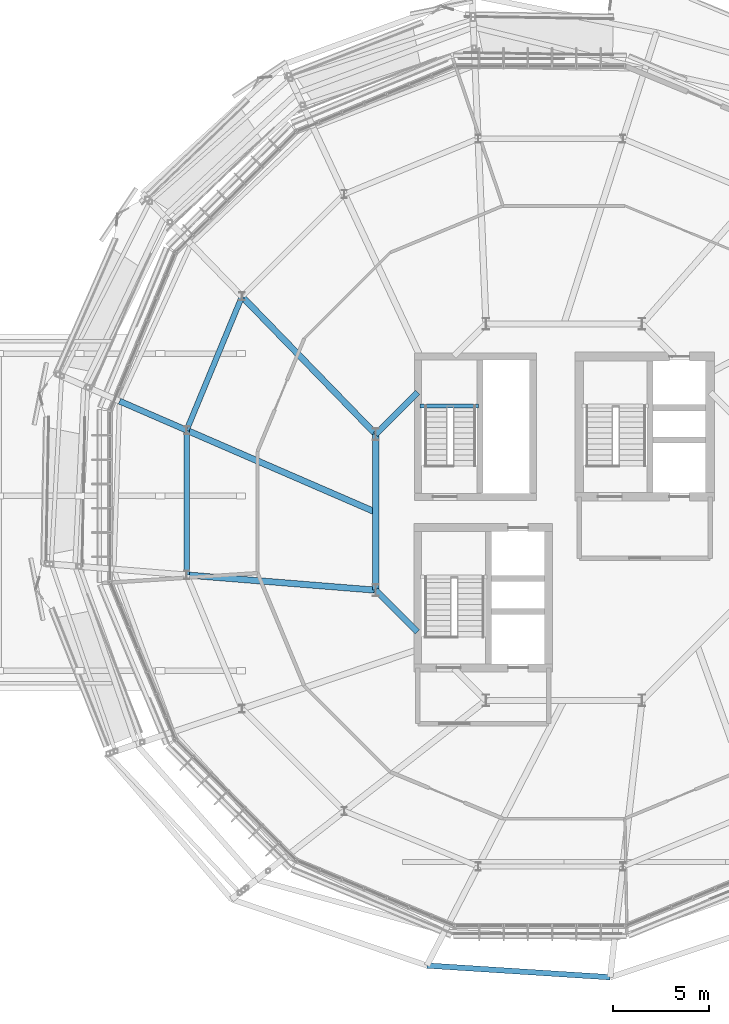
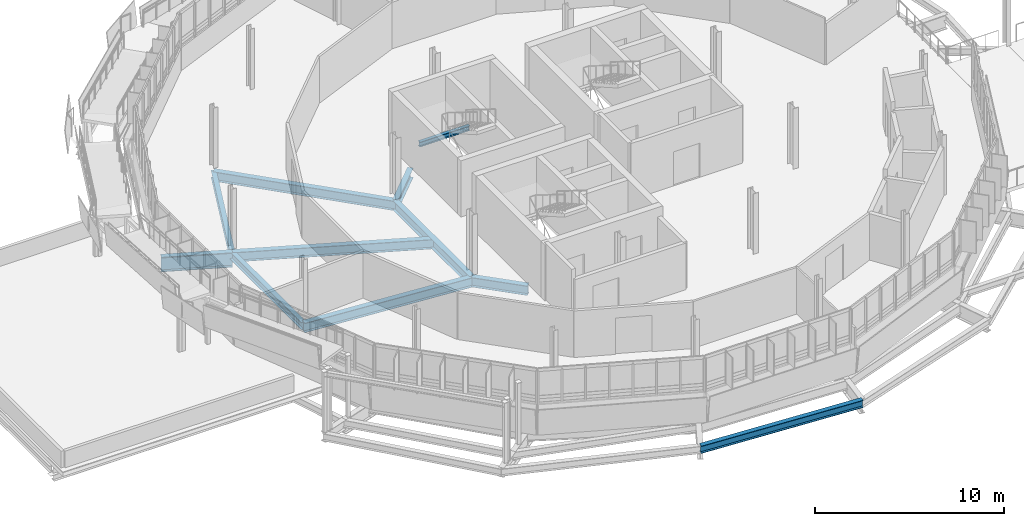
# One storey, part 15 of 61: 11 beams.
"""IFC4 building model written with IfcOpenShell, lengths in metres."""

import ifcopenshell
import ifcopenshell.guid

model = None  # the IFC model being written
_history = None  # IfcOwnerHistory: only IFC2X3 demands one
_inside = {}  # id of a spatial element -> (the spatial element, [elements in it])
_under = {}  # id of a project, library or spatial element -> (it, [spatial elements below it])
_declared = {}  # id of a project -> (the project, [libraries it declares])
_typed = {}  # id of a type object -> (the type object, [elements of that type])
_made_of = {}  # id of a material, layer set ... -> (it, [elements and type objects made of it])


def new_model(schema):
    """Start an empty IFC model of exactly this schema.

    Asked for "IFC4X3", IfcOpenShell would pick the latest addendum, in which some entities
    have other attributes; the version numbers below select the first issue.
    IFC2X3 requires an IfcOwnerHistory on every rooted entity: one is made here for all.
    """
    global model, _history
    if schema == "IFC4X3":
        model = ifcopenshell.file(schema_version=(4, 3, 0, 0))
    else:
        model = ifcopenshell.file(schema=schema)
    _inside.clear()
    _under.clear()
    _declared.clear()
    _typed.clear()
    _made_of.clear()
    _history = None
    if model.schema == "IFC2X3":
        org = make("IfcOrganization", Name="unknown")
        user = make(
            "IfcPersonAndOrganization",
            ThePerson=make("IfcPerson", FamilyName="unknown"),
            TheOrganization=org,
        )
        app = make(
            "IfcApplication",
            ApplicationDeveloper=org,
            Version="unknown",
            ApplicationFullName="unknown",
            ApplicationIdentifier="unknown",
        )
        _history = make(
            "IfcOwnerHistory",
            OwningUser=user,
            OwningApplication=app,
            ChangeAction="ADDED",
            CreationDate=0,
        )
    return model


def make(cls, **values):
    """One entity of the class cls with the attributes given. An attribute that is None is left unset."""
    return model.create_entity(
        cls, **{name: value for name, value in values.items() if value is not None}
    )


def rooted(cls, **values):
    """An entity with a GlobalId (a new one), such as an element, a storey or a relation."""
    return make(cls, GlobalId=ifcopenshell.guid.new(), OwnerHistory=_history, **values)


def si_unit(unit_type, name, prefix=None):
    """IfcSIUnit, for example si_unit("LENGTHUNIT", "METRE", prefix="MILLI")."""
    return make("IfcSIUnit", UnitType=unit_type, Prefix=prefix, Name=name)


def derived_unit(unit_type, elements):
    """IfcDerivedUnit: a product of units, each with its exponent."""
    return make(
        "IfcDerivedUnit",
        Elements=[
            make("IfcDerivedUnitElement", Unit=unit, Exponent=power)
            for unit, power in elements
        ],
        UnitType=unit_type,
    )


def assignment(units):
    """IfcUnitAssignment: the units of a project."""
    return None if units is None else make("IfcUnitAssignment", Units=units)


def point(xyz):
    """IfcCartesianPoint."""
    return None if xyz is None else make("IfcCartesianPoint", Coordinates=xyz)


def direction(xyz):
    """IfcDirection."""
    return None if xyz is None else make("IfcDirection", DirectionRatios=xyz)


def frame(location, z_axis=None, x_axis=None):
    """IfcAxis2Placement3D, a coordinate frame: its origin and axes. An axis left out is left unset."""
    return make(
        "IfcAxis2Placement3D",
        Location=point(location),
        Axis=direction(z_axis),
        RefDirection=direction(x_axis),
    )


def frame_2d(location, x_axis=None):
    """IfcAxis2Placement2D, a coordinate frame in the plane: its origin and x axis."""
    return make(
        "IfcAxis2Placement2D", Location=point(location), RefDirection=direction(x_axis)
    )


def origin():
    """The frame at (0, 0, 0) with its axes left unset."""
    return frame((0.0, 0.0, 0.0))


def origin_2d():
    """The frame at (0, 0) in the plane with its x axis left unset."""
    return frame_2d((0.0, 0.0))


def place(relative_to, where):
    """IfcLocalPlacement: puts the frame where relative to a parent placement (None: the world)."""
    return make(
        "IfcLocalPlacement", PlacementRelTo=relative_to, RelativePlacement=where
    )


def context(
    kind, dimensions, precision=None, world=None, true_north=None, identifier=None
):
    """IfcGeometricRepresentationContext, for example the 3D "Model" context."""
    return make(
        "IfcGeometricRepresentationContext",
        ContextIdentifier=identifier,
        ContextType=kind,
        CoordinateSpaceDimension=dimensions,
        Precision=precision,
        WorldCoordinateSystem=world,
        TrueNorth=true_north,
    )


def subcontext(parent, identifier, kind, view, scale=None):
    """IfcGeometricRepresentationSubContext, for example "Body" below "Model"."""
    return make(
        "IfcGeometricRepresentationSubContext",
        ContextIdentifier=identifier,
        ContextType=kind,
        ParentContext=parent,
        TargetScale=scale,
        TargetView=view,
    )


def project(units=None, contexts=None):
    """IfcProject with its units and contexts."""
    return rooted(
        "IfcProject",
        Name="project",
        RepresentationContexts=contexts,
        UnitsInContext=assignment(units),
    )


def spatial(cls, under=None, at=None, **own):
    """A site, building, storey or space (cls), placed at a placement, below another one or the project."""
    s = rooted(cls, ObjectPlacement=at, **own)
    if under is not None:
        _under.setdefault(under.id(), (under, []))[1].append(s)
    return s


def profile(cls, at=None, kind="AREA", **sizes):
    """A parametric profile (cls). Its sizes go by their IFC names, for example OverallWidth=200.0."""
    return make(cls, ProfileType=kind, Position=at, **sizes)


def i_section(**sizes):
    """IfcIShapeProfileDef."""
    return profile("IfcIShapeProfileDef", **sizes)


def extrude(swept, where, along, depth):
    """IfcExtrudedAreaSolid: the profile swept, set in the frame where, extruded along a direction by depth."""
    return make(
        "IfcExtrudedAreaSolid",
        SweptArea=swept,
        Position=where,
        ExtrudedDirection=direction(along),
        Depth=depth,
    )


def shape(context_of_items, identifier, shape_type, items):
    """IfcShapeRepresentation: the items that make up one representation, for example the "Body"."""
    return make(
        "IfcShapeRepresentation",
        ContextOfItems=context_of_items,
        RepresentationIdentifier=identifier,
        RepresentationType=shape_type,
        Items=items,
    )


def material(Name=None, Category=None):
    """IfcMaterial."""
    return make("IfcMaterial", Name=Name, Category=Category)


def material_profile(
    of_material, cross_section, Name=None, Category=None, Priority=None
):
    """IfcMaterialProfile: a cross section and its material."""
    return make(
        "IfcMaterialProfile",
        Name=Name,
        Material=of_material,
        Profile=cross_section,
        Priority=Priority,
        Category=Category,
    )


def profile_set(profiles, Name=None, composite=None):
    """IfcMaterialProfileSet."""
    return make(
        "IfcMaterialProfileSet",
        Name=Name,
        MaterialProfiles=profiles,
        CompositeProfile=composite,
    )


def made_of(thing, what):
    """Note that an element or type object is made of a material, layer set ...; save() writes the relation."""
    if what is not None:
        _made_of.setdefault(what.id(), (what, []))[1].append(thing)
    return thing


def type_object(cls, material=None, **own):
    """A type object (cls), such as IfcWallType, which elements share."""
    return made_of(rooted(cls, **own), material)


def element(
    cls,
    number,
    at=None,
    inside=None,
    cuts=None,
    type_object=None,
    material=None,
    context=None,
    identifier="Body",
    shape_type=None,
    held_by="IfcProductDefinitionShape",
    body=None,
    shapes=None,
    **own,
):
    """One element of the class cls, such as IfcWall. Its Tag is "e" and its number.

    at: its placement. inside: the storey or other place that contains it. cuts: it is an
    opening in that element (IfcRelVoidsElement). A single representation is given by context,
    identifier, shape_type and body (its items); several are given by shapes. held_by: the class
    of the entity that holds the representations. save() writes the other relations.
    """
    e = rooted(cls, Tag="e%d" % number, ObjectPlacement=at, **own)
    if body is not None:
        shapes = [shape(context, identifier, shape_type, body)]
    if shapes is not None:
        e.Representation = make(held_by, Representations=shapes)
    if inside is not None:
        _inside.setdefault(inside.id(), (inside, []))[1].append(e)
    if cuts is not None:
        rooted(
            "IfcRelVoidsElement", RelatingBuildingElement=cuts, RelatedOpeningElement=e
        )
    if type_object is not None:
        _typed.setdefault(type_object.id(), (type_object, []))[1].append(e)
    return made_of(e, material)


def aggregate(whole, parts):
    """IfcRelAggregates: a whole, such as a stair, and the parts it consists of."""
    return rooted("IfcRelAggregates", RelatingObject=whole, RelatedObjects=parts)


def save(model, path):
    """Write the relations noted so far, then the file.

    IfcRelAggregates (storeys below a building ...), IfcRelContainedInSpatialStructure (elements
    in a storey), IfcRelDefinesByType, IfcRelAssociatesMaterial and IfcRelDeclares: one each for
    every whole, place, type object, material and project.
    """
    for whole, parts in _under.values():
        aggregate(whole, parts)
    for where, things in _inside.values():
        rooted(
            "IfcRelContainedInSpatialStructure",
            RelatedElements=things,
            RelatingStructure=where,
        )
    for kind, things in _typed.values():
        rooted("IfcRelDefinesByType", RelatedObjects=things, RelatingType=kind)
    for what, things in _made_of.values():
        rooted("IfcRelAssociatesMaterial", RelatedObjects=things, RelatingMaterial=what)
    for by, libraries in _declared.values():
        rooted("IfcRelDeclares", RelatingContext=by, RelatedDefinitions=libraries)
    model.write(path)


model = new_model("IFC4")

# Units and contexts
model_context = context("Model", 3, precision=1e-05, world=origin(), true_north=direction((0.0, 1.0)))
body_context = subcontext(model_context, "Body", "Model", "MODEL_VIEW")
ifc_project = project(units=[si_unit("LENGTHUNIT", "METRE"), si_unit("AREAUNIT", "SQUARE_METRE"), si_unit("VOLUMEUNIT", "CUBIC_METRE"), si_unit("PLANEANGLEUNIT", "RADIAN"), si_unit("MASSUNIT", "GRAM", prefix="KILO"), derived_unit("THERMALTRANSMITTANCEUNIT", [(si_unit("MASSUNIT", "GRAM", prefix="KILO"), 1), (si_unit("TIMEUNIT", "SECOND"), -3), (si_unit("THERMODYNAMICTEMPERATUREUNIT", "KELVIN"), -1)])], contexts=[model_context])

# Site, building, storey
site_placement = place(None, origin())
site = spatial("IfcSite", under=ifc_project, at=site_placement, CompositionType="ELEMENT")
building_placement = place(site_placement, origin())
building = spatial("IfcBuilding", under=site, at=building_placement, Name="Makaiwela Harbour Ferry Terminal", CompositionType="ELEMENT")
storey_placement = place(building_placement, frame((0.0, 0.0, 13.800048828125)))
storey = spatial("IfcBuildingStorey", under=building, at=storey_placement, Name="L03", CompositionType="ELEMENT", Elevation=13.800048828125)

# Beams
ifc_material = material(Name="Steel ASTM A992 Grade 50", Category="steel")
ifc_material_profile_1 = material_profile(ifc_material, i_section(OverallWidth=0.324951171875, OverallDepth=0.615966796875, WebThickness=0.013916015625, FlangeThickness=0.021484375, at=origin_2d()), Name="W24X117")
ifc_profile_set_1 = profile_set([ifc_material_profile_1], Name="Steel ASTM A992 Grade 50")
beam_type_1 = type_object("IfcBeamType", Name="STR-GRD-W24X117", PredefinedType="USERDEFINED", material=ifc_profile_set_1)
beam_1_placement = place(storey_placement, frame((30.179931640625, 73.82958984375, -0.56298828125), z_axis=(-0.707106781187, -0.707106781187, 0.0), x_axis=(0.707106781187, -0.707106781187, 0.0)))
element("IfcBeam", 1, at=beam_1_placement, inside=storey, type_object=beam_type_1, Name="Drum inner ring girder 248", ObjectType="GIRDER", PredefinedType="USERDEFINED", context=body_context, shape_type="SweptSolid", body=[
    extrude(i_section(OverallWidth=0.324951171875, OverallDepth=0.615966796875, WebThickness=0.013916015625, FlangeThickness=0.021484375, at=origin_2d()), origin(), (0.0, 0.0, 1.0), 3.0732421875),
])
beam_2_placement = place(storey_placement, frame((28.0068359375, 71.656494140625, -0.56298828125), z_axis=(0.0, -1.0, 0.0), x_axis=(1.0, 0.0, 0.0)))
element("IfcBeam", 2, at=beam_2_placement, inside=storey, type_object=beam_type_1, Name="Drum inner ring girder 249", ObjectType="GIRDER", PredefinedType="USERDEFINED", context=body_context, shape_type="SweptSolid", body=[
    extrude(i_section(OverallWidth=0.324951171875, OverallDepth=0.615966796875, WebThickness=0.013916015625, FlangeThickness=0.021484375, at=origin_2d()), origin(), (0.0, 0.0, 1.0), 8.11279296875),
])
beam_3_placement = place(storey_placement, frame((28.0068359375, 63.543701171875, -0.56298828125), z_axis=(0.707106781187, -0.707106781187, 0.0), x_axis=(0.707106781187, 0.707106781187, 0.0)))
element("IfcBeam", 3, at=beam_3_placement, inside=storey, type_object=beam_type_1, Name="Drum inner ring girder 250", ObjectType="GIRDER", PredefinedType="USERDEFINED", context=body_context, shape_type="SweptSolid", body=[
    extrude(i_section(OverallWidth=0.324951171875, OverallDepth=0.615966796875, WebThickness=0.013916015625, FlangeThickness=0.021484375, at=origin_2d()), origin(), (0.0, 0.0, 1.0), 3.0732421875),
])
beam_4_placement = place(storey_placement, frame((28.0068359375, 71.656494140625, -0.56298828125), z_axis=(-0.696428721194, 0.717625972423, 0.0), x_axis=(-0.717625972423, -0.696428721194, 0.0)))
element("IfcBeam", 4, at=beam_4_placement, inside=storey, type_object=beam_type_1, Name="Drum radial girder 293", ObjectType="GIRDER", PredefinedType="USERDEFINED", context=body_context, shape_type="SweptSolid", body=[
    extrude(i_section(OverallWidth=0.324951171875, OverallDepth=0.615966796875, WebThickness=0.013916015625, FlangeThickness=0.021484375, at=origin_2d()), origin(), (0.0, 0.0, 1.0), 9.98583984375),
])
beam_5_placement = place(storey_placement, frame((28.0068359375, 67.60009765625, -0.56298828125), z_axis=(-0.91745700874, 0.397834937021, 0.0), x_axis=(-0.397834937021, -0.91745700874, 0.0)))
element("IfcBeam", 5, at=beam_5_placement, inside=storey, type_object=beam_type_1, Name="Drum radial girder 297", ObjectType="GIRDER", PredefinedType="USERDEFINED", context=body_context, shape_type="SweptSolid", body=[
    extrude(i_section(OverallWidth=0.324951171875, OverallDepth=0.615966796875, WebThickness=0.013916015625, FlangeThickness=0.021484375, at=origin_2d()), origin(), (0.0, 0.0, 1.0), 10.720947265625),
])
beam_6_placement = place(storey_placement, frame((28.0068359375, 63.543701171875, -0.56298828125), z_axis=(-0.996781835671, 0.080162161129, 0.0), x_axis=(-0.080162161129, -0.996781835671, 0.0)))
element("IfcBeam", 6, at=beam_6_placement, inside=storey, type_object=beam_type_1, Name="Drum radial girder 301", ObjectType="GIRDER", PredefinedType="USERDEFINED", context=body_context, shape_type="SweptSolid", body=[
    extrude(i_section(OverallWidth=0.324951171875, OverallDepth=0.615966796875, WebThickness=0.013916015625, FlangeThickness=0.021484375, at=origin_2d()), origin(), (0.0, 0.0, 1.0), 9.86767578125),
])
ifc_material_profile_2 = material_profile(ifc_material, i_section(OverallWidth=0.31005859375, OverallDepth=0.949951171875, WebThickness=0.0244140625, FlangeThickness=0.0439453125, at=origin_2d()), Name="W36X256")
ifc_profile_set_2 = profile_set([ifc_material_profile_2], Name="Steel ASTM A992 Grade 50")
beam_type_2 = type_object("IfcBeamType", Name="STR-GRD-W36X256", PredefinedType="USERDEFINED", material=ifc_profile_set_2)
beam_7_placement = place(storey_placement, frame((18.1708984375, 71.865234375, -0.72998046875), z_axis=(-0.917461842154, 0.397823790379, 0.0), x_axis=(-0.397823790379, -0.917461842154, 0.0)))
element("IfcBeam", 7, at=beam_7_placement, inside=storey, type_object=beam_type_2, Name="Drum radial overhang 298", ObjectType="GIRDER", PredefinedType="USERDEFINED", context=body_context, shape_type="SweptSolid", body=[
    extrude(i_section(OverallWidth=0.31005859375, OverallDepth=0.949951171875, WebThickness=0.0244140625, FlangeThickness=0.0439453125, at=origin_2d()), origin(), (0.0, 0.0, 1.0), 3.800048828125),
])
ifc_material_profile_3 = material_profile(ifc_material, i_section(OverallWidth=0.205078125, OverallDepth=0.31005859375, WebThickness=0.009521484375, FlangeThickness=0.016357421875, at=origin_2d()), Name="W12X50")
ifc_profile_set_3 = profile_set([ifc_material_profile_3], Name="Steel ASTM A992 Grade 50")
beam_type_3 = type_object("IfcBeamType", Name="STR-LNT-W12X50", PredefinedType="LINTEL", material=ifc_profile_set_3)
beam_8_placement = place(storey_placement, frame((30.304931640625, 73.135009765625, 1.64501953125), z_axis=(1.0, 0.0, 0.0), x_axis=(0.0, 1.0, 0.0)))
element("IfcBeam", 8, at=beam_8_placement, inside=storey, type_object=beam_type_3, Name="Stair Landing Beam ST-03-L03", PredefinedType="LINTEL", context=body_context, shape_type="SweptSolid", body=[
    extrude(i_section(OverallWidth=0.205078125, OverallDepth=0.31005859375, WebThickness=0.009521484375, FlangeThickness=0.016357421875, at=origin_2d()), origin(), (0.0, 0.0, 1.0), 3.050048828125),
])
ifc_material_profile_4 = material_profile(ifc_material, i_section(OverallWidth=0.283935546875, OverallDepth=0.47607421875, WebThickness=0.014892578125, FlangeThickness=0.02392578125, at=origin_2d()), Name="W18X106")
ifc_profile_set_4 = profile_set([ifc_material_profile_4], Name="Steel ASTM A992 Grade 50")
beam_type_4 = type_object("IfcBeamType", Name="STR-SPN-W18X106", PredefinedType="SPANDREL", material=ifc_profile_set_4)
for number, where, z_axis, x_axis, name in (
    (9, (21.052490234375, 78.822509765625, -0.4931640625), (-0.382660079618, -0.92388920519, 0.0), (0.92388920519, -0.382660079618, 0.0), "Drum column ring girder 261"),
    (10, (18.1708984375, 71.865234375, -0.4931640625), (0.0, -1.0, 0.0), (1.0, 0.0, 0.0), "Drum column ring girder 262"),
):
    element("IfcBeam", number, at=place(storey_placement, frame(where, z_axis=z_axis, x_axis=x_axis)), inside=storey, type_object=beam_type_4, Name=name, PredefinedType="SPANDREL", context=body_context, shape_type="SweptSolid", body=[
        extrude(i_section(OverallWidth=0.283935546875, OverallDepth=0.47607421875, WebThickness=0.014892578125, FlangeThickness=0.02392578125, at=origin_2d()), origin(), (0.0, 0.0, 1.0), 7.530517578125),
    ])
beam_9_placement = place(storey_placement, frame((30.6708984375, 44.018798828125, -0.4931640625), z_axis=(0.99795828309, -0.063869125655, 0.0), x_axis=(0.063869125655, 0.99795828309, 0.0)))
element("IfcBeam", 11, at=beam_9_placement, inside=storey, type_object=beam_type_4, Name="Drum perimeter spandrel 363", PredefinedType="SPANDREL", context=body_context, shape_type="SweptSolid", body=[
    extrude(i_section(OverallWidth=0.283935546875, OverallDepth=0.47607421875, WebThickness=0.014892578125, FlangeThickness=0.02392578125, at=origin_2d()), origin(), (0.0, 0.0, 1.0), 9.552490234375),
])

save(model, "model.ifc")
